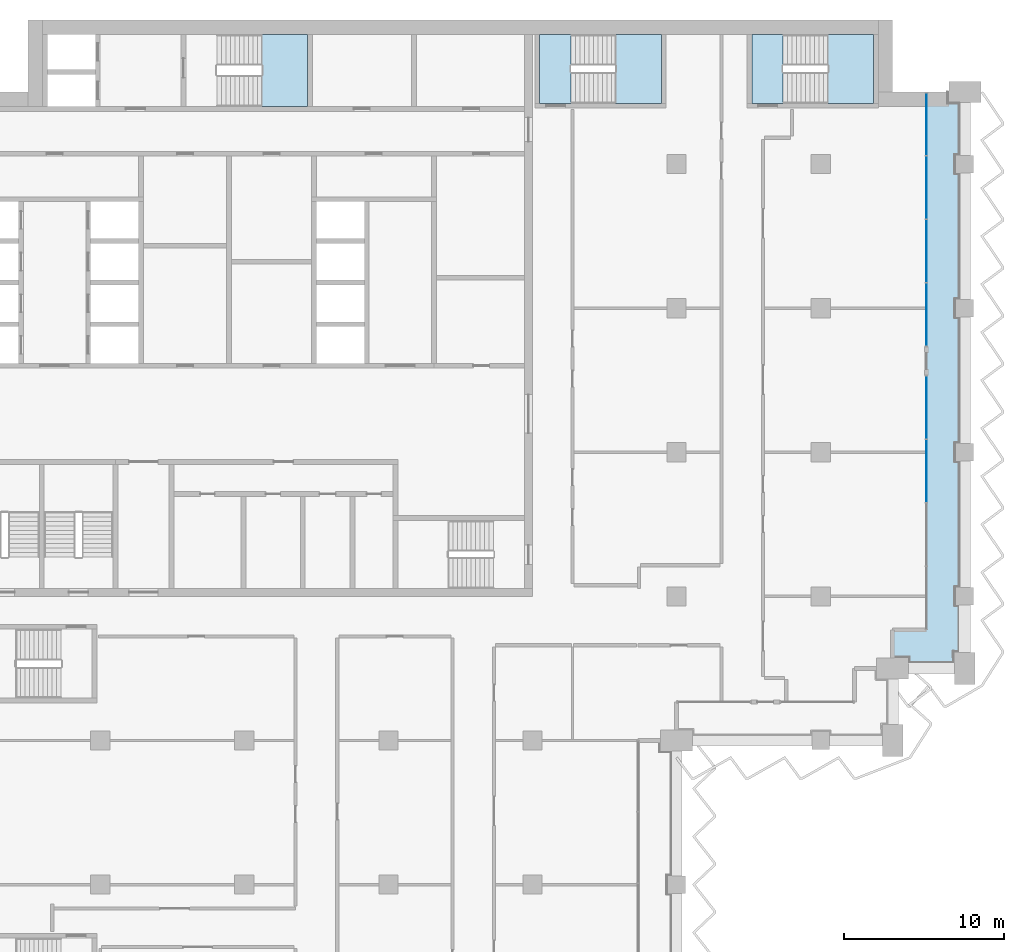
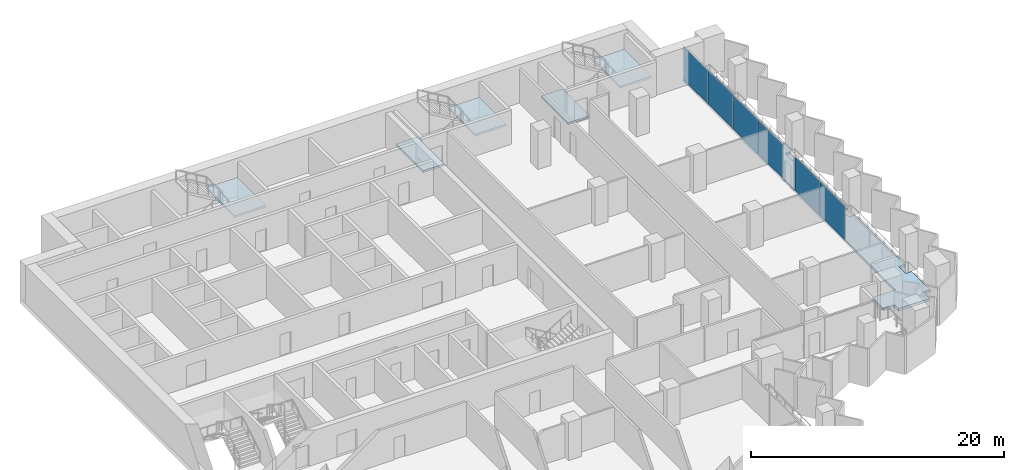
# One storey, part 9 of 23: 6 plates, 6 slabs, 5 elements without a shape of their own.
"""IFC4 building model written with IfcOpenShell, lengths in metres."""

from ifc_helpers import new_model, si_unit, direction, frame, origin, origin_2d, place, context, subcontext, project, spatial, polyline, rectangle, outline, extrude, material, layer, layer_set, type_object, element, aggregate, save


model = new_model("IFC4")

# Units and contexts
model_context = context("Model", 3, precision=1e-05, world=origin(), true_north=direction((0.0, 1.0)))
body_context = subcontext(model_context, "Body", "Model", "MODEL_VIEW")
ifc_project = project(units=[si_unit("LENGTHUNIT", "METRE"), si_unit("AREAUNIT", "SQUARE_METRE"), si_unit("VOLUMEUNIT", "CUBIC_METRE"), si_unit("PLANEANGLEUNIT", "RADIAN"), si_unit("MASSUNIT", "GRAM", prefix="KILO")], contexts=[model_context])

# Site, building, storey
site_placement = place(None, origin())
site = spatial("IfcSite", under=ifc_project, at=site_placement, CompositionType="ELEMENT")
building_placement = place(site_placement, origin())
building = spatial("IfcBuilding", under=site, at=building_placement, Name="Hunhe Ridgeline Campus", CompositionType="ELEMENT")
storey_placement = place(building_placement, frame((0.0, 0.0, 167.10009765625)))
storey = spatial("IfcBuildingStorey", under=building, at=storey_placement, Name="L42", CompositionType="ELEMENT", Elevation=167.10009765625)

# Curtain wall, plates
ifc_material_1 = material(Name="Aluminium 6063", Category="aluminium")
curtain_wall_type = type_object("IfcCurtainWallType", Name="Curtain wall CW-1", PredefinedType="NOTDEFINED", material=ifc_material_1)
curtain_wall_1_placement = place(storey_placement, origin())
curtain_wall_1 = element("IfcCurtainWall", 1, at=curtain_wall_1_placement, inside=storey, type_object=curtain_wall_type, Name="Curtain wall 14", PredefinedType="NOTDEFINED")
ifc_material_2 = material(Name="Low-e laminated glass", Category="glass")
ifc_layer_1 = layer(ifc_material_2, 0.028076171875)
ifc_layer_set_1 = layer_set([ifc_layer_1], Name="Curtain wall glass panel 28 low-e laminated")
plate_type = type_object("IfcPlateType", Name="Curtain wall glass panel 28 low-e laminated", PredefinedType="CURTAIN_PANEL", material=ifc_layer_set_1)
plate_1_placement = place(storey_placement, frame((60.59912109375, 70.838134765625, 0.0), z_axis=(0.0, 0.0, 1.0), x_axis=(0.0, 1.0, 0.0)))
plate_1 = element("IfcPlate", 2, at=plate_1_placement, type_object=plate_type, Name="CW-1 panel 3", PredefinedType="CURTAIN_PANEL", context=body_context, shape_type="SweptSolid", body=[
    extrude(rectangle(XDim=3.914794921875, YDim=0.028076171875, at=origin_2d()), origin(), (0.0, 0.0, 1.0), 3.239990234375),
])
plate_2_placement = place(storey_placement, frame((60.59912109375, 74.798095703125, 0.0), z_axis=(0.0, 0.0, 1.0), x_axis=(0.0, 1.0, 0.0)))
plate_2 = element("IfcPlate", 3, at=plate_2_placement, type_object=plate_type, Name="CW-1 panel 4", PredefinedType="CURTAIN_PANEL", context=body_context, shape_type="SweptSolid", body=[
    extrude(rectangle(XDim=3.884765625, YDim=0.028076171875, at=origin_2d()), origin(), (0.0, 0.0, 1.0), 3.239990234375),
])
aggregate(curtain_wall_1, [plate_1, plate_2])

curtain_wall_2_placement = place(storey_placement, origin())
curtain_wall_2 = element("IfcCurtainWall", 4, at=curtain_wall_2_placement, inside=storey, type_object=curtain_wall_type, Name="Curtain wall 15", PredefinedType="NOTDEFINED")
plate_3_placement = place(storey_placement, frame((60.59912109375, 80.60302734375, 0.0), z_axis=(0.0, 0.0, 1.0), x_axis=(0.0, 1.0, 0.0)))
plate_3 = element("IfcPlate", 5, at=plate_3_placement, type_object=plate_type, Name="CW-1 panel 1", PredefinedType="CURTAIN_PANEL", context=body_context, shape_type="SweptSolid", body=[
    extrude(rectangle(XDim=3.884765625, YDim=0.028076171875, at=origin_2d()), origin(), (0.0, 0.0, 1.0), 3.239990234375),
])
plate_4_placement = place(storey_placement, frame((60.59912109375, 84.562744140625, 0.0), z_axis=(0.0, 0.0, 1.0), x_axis=(0.0, 1.0, 0.0)))
plate_4 = element("IfcPlate", 6, at=plate_4_placement, type_object=plate_type, Name="CW-1 panel 2", PredefinedType="CURTAIN_PANEL", context=body_context, shape_type="SweptSolid", body=[
    extrude(rectangle(XDim=3.914794921875, YDim=0.028076171875, at=origin_2d()), origin(), (0.0, 0.0, 1.0), 3.239990234375),
])
plate_5_placement = place(storey_placement, frame((60.59912109375, 88.53759765625, 0.0), z_axis=(0.0, 0.0, 1.0), x_axis=(0.0, 1.0, 0.0)))
plate_5 = element("IfcPlate", 7, at=plate_5_placement, type_object=plate_type, Name="CW-1 panel 3", PredefinedType="CURTAIN_PANEL", context=body_context, shape_type="SweptSolid", body=[
    extrude(rectangle(XDim=3.914794921875, YDim=0.028076171875, at=origin_2d()), origin(), (0.0, 0.0, 1.0), 3.239990234375),
])
plate_6_placement = place(storey_placement, frame((60.59912109375, 92.49755859375, 0.0), z_axis=(0.0, 0.0, 1.0), x_axis=(0.0, 1.0, 0.0)))
plate_6 = element("IfcPlate", 8, at=plate_6_placement, type_object=plate_type, Name="CW-1 panel 4", PredefinedType="CURTAIN_PANEL", context=body_context, shape_type="SweptSolid", body=[
    extrude(rectangle(XDim=3.884765625, YDim=0.028076171875, at=origin_2d()), origin(), (0.0, 0.0, 1.0), 3.239990234375),
])
aggregate(curtain_wall_2, [plate_3, plate_4, plate_5, plate_6])

# Slab
ifc_material_3 = material(Name="Concrete C40", Category="concrete")
ifc_layer_2 = layer(ifc_material_3, 0.25)
ifc_layer_set_2 = layer_set([ifc_layer_2], Name="Loggia slab 250 Concrete C40")
slab_type_1 = type_object("IfcSlabType", Name="Loggia slab 250 Concrete C40", PredefinedType="FLOOR", material=ifc_layer_set_2)
slab_1_placement = place(storey_placement, frame((0.0, 0.0, -0.25)))
element("IfcSlab", 9, at=slab_1_placement, inside=storey, type_object=slab_type_1, Name="Loggia slab 3", PredefinedType="FLOOR", context=body_context, shape_type="SweptSolid", body=[
    extrude(outline(polyline([(58.5, 59.14990234375), (59.5, 59.14990234375), (59.5, 58.5), (62.35009765625, 58.5), (62.35009765625, 59.5), (63.0, 59.5), (63.0, 62.449951171875), (62.449951171875, 62.449951171875), (62.449951171875, 63.550048828125), (63.0, 63.550048828125), (63.0, 71.449951171875), (62.449951171875, 71.449951171875), (62.449951171875, 72.550048828125), (63.0, 72.550048828125), (63.0, 80.449951171875), (62.449951171875, 80.449951171875), (62.449951171875, 81.550048828125), (63.0, 81.550048828125), (63.0, 89.449951171875), (62.449951171875, 89.449951171875), (62.449951171875, 90.550048828125), (63.0, 90.550048828125), (63.0, 93.85009765625), (62.0, 93.85009765625), (62.0, 94.5), (60.60009765625, 94.5), (60.60009765625, 60.89990234375), (58.5, 60.89990234375), (58.5, 59.14990234375)])), origin(), (0.0, 0.0, 1.0), 0.25),
])

# Stair, slab
stair_type = type_object("IfcStairType", Name="Reinforced concrete dog-leg stair 1950 Concrete C40", PredefinedType="HALF_TURN_STAIR", material=ifc_material_3)
stair_1_placement = place(storey_placement, origin())
stair_1 = element("IfcStair", 10, at=stair_1_placement, inside=storey, type_object=stair_type, Name="L42 S1", PredefinedType="HALF_TURN_STAIR")
ifc_layer_3 = layer(ifc_material_3, 0.199951171875)
ifc_layer_set_3 = layer_set([ifc_layer_3], Name="Reinforced concrete stair landing 200 Concrete C40")
slab_type_2 = type_object("IfcSlabType", Name="Reinforced concrete stair landing 200 Concrete C40", PredefinedType="LANDING", material=ifc_layer_set_3)
slab_2_placement = place(storey_placement, frame((0.0, 0.0, 1.64990234375)))
slab_2 = element("IfcSlab", 11, at=slab_2_placement, type_object=slab_type_2, Name="ST1 landing 1", PredefinedType="LANDING", context=body_context, shape_type="SweptSolid", body=[
    extrude(outline(polyline([(19.10009765625, 93.60009765625), (21.949951171875, 93.60009765625), (21.949951171875, 98.10009765625), (19.10009765625, 98.10009765625), (19.10009765625, 93.60009765625)])), origin(), (0.0, 0.0, 1.0), 0.199951171875),
])
aggregate(stair_1, [slab_2])

stair_2_placement = place(storey_placement, origin())
stair_2 = element("IfcStair", 12, at=stair_2_placement, inside=storey, type_object=stair_type, Name="L42 E1", PredefinedType="HALF_TURN_STAIR")
slab_3_placement = place(storey_placement, frame((0.0, 0.0, 1.64990234375)))
slab_3 = element("IfcSlab", 13, at=slab_3_placement, type_object=slab_type_2, Name="ST5 landing 1", PredefinedType="LANDING", context=body_context, shape_type="SweptSolid", body=[
    extrude(outline(polyline([(41.199951171875, 93.800048828125), (44.050048828125, 93.800048828125), (44.050048828125, 98.10009765625), (41.199951171875, 98.10009765625), (41.199951171875, 93.800048828125)])), origin(), (0.0, 0.0, 1.0), 0.199951171875),
])
aggregate(stair_2, [slab_3])

# Slab
slab_4_placement = place(storey_placement, frame((0.0, 0.0, -0.2001953125)))
element("IfcSlab", 14, at=slab_4_placement, inside=storey, type_object=slab_type_2, Name="L42 stair E1 floor landing", PredefinedType="LANDING", context=body_context, shape_type="SweptSolid", body=[
    extrude(outline(polyline([(36.449951171875, 93.800048828125), (38.39990234375, 93.800048828125), (38.39990234375, 98.10009765625), (36.449951171875, 98.10009765625), (36.449951171875, 93.800048828125)])), origin(), (0.0, 0.0, 1.0), 0.2001953125),
])

# Stair, slab
stair_3_placement = place(storey_placement, origin())
stair_3 = element("IfcStair", 15, at=stair_3_placement, inside=storey, type_object=stair_type, Name="L42 E2", PredefinedType="HALF_TURN_STAIR")
slab_5_placement = place(storey_placement, frame((0.0, 0.0, 1.64990234375)))
slab_5 = element("IfcSlab", 16, at=slab_5_placement, type_object=slab_type_2, Name="ST6 landing 1", PredefinedType="LANDING", context=body_context, shape_type="SweptSolid", body=[
    extrude(outline(polyline([(54.449951171875, 93.800048828125), (57.300048828125, 93.800048828125), (57.300048828125, 98.10009765625), (54.449951171875, 98.10009765625), (54.449951171875, 93.800048828125)])), origin(), (0.0, 0.0, 1.0), 0.199951171875),
])
aggregate(stair_3, [slab_5])

# Slab
slab_6_placement = place(storey_placement, frame((0.0, 0.0, -0.2001953125)))
element("IfcSlab", 17, at=slab_6_placement, inside=storey, type_object=slab_type_2, Name="L42 stair E2 floor landing", PredefinedType="LANDING", context=body_context, shape_type="SweptSolid", body=[
    extrude(outline(polyline([(49.699951171875, 93.800048828125), (51.64990234375, 93.800048828125), (51.64990234375, 98.10009765625), (49.699951171875, 98.10009765625), (49.699951171875, 93.800048828125)])), origin(), (0.0, 0.0, 1.0), 0.2001953125),
])

save(model, "model.ifc")
